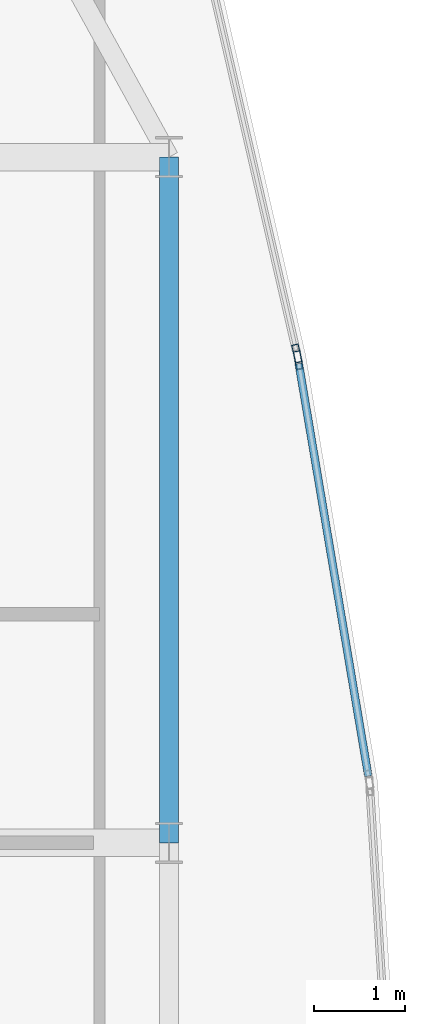
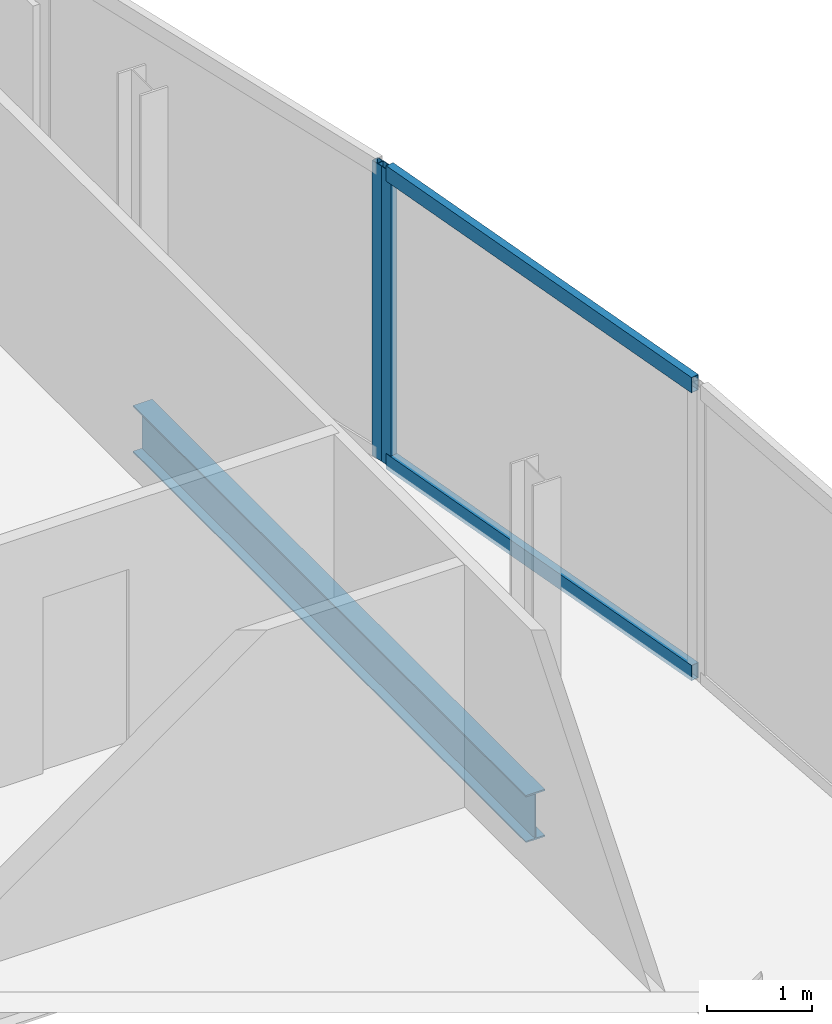
# One storey, part 19 of 29: 4 members, 1 beam, 2 elements without a shape of their own.
"""IFC4 building model written with IfcOpenShell, lengths in metres."""

from ifc_helpers import new_model, si_unit, direction, frame, origin, origin_2d, place, context, subcontext, project, spatial, hollow_rectangle, i_section, extrude, material, material_profile, profile_set, type_object, element, aggregate, save


model = new_model("IFC4")

# Units and contexts
model_context = context("Model", 3, precision=1e-05, world=origin(), true_north=direction((0.0, 1.0)))
body_context = subcontext(model_context, "Body", "Model", "MODEL_VIEW")
ifc_project = project(units=[si_unit("LENGTHUNIT", "METRE"), si_unit("AREAUNIT", "SQUARE_METRE"), si_unit("VOLUMEUNIT", "CUBIC_METRE"), si_unit("PLANEANGLEUNIT", "RADIAN"), si_unit("MASSUNIT", "GRAM", prefix="KILO")], contexts=[model_context])

# Site, building, storey
site_placement = place(None, origin())
site = spatial("IfcSite", under=ifc_project, at=site_placement, CompositionType="ELEMENT")
building_placement = place(site_placement, origin())
building = spatial("IfcBuilding", under=site, at=building_placement, Name="Khoronbel Lancet Exchange", CompositionType="ELEMENT")
storey_placement = place(building_placement, frame((0.0, 0.0, 321.800048828125)))
storey = spatial("IfcBuildingStorey", under=building, at=storey_placement, Name="L83", CompositionType="ELEMENT", Elevation=321.800048828125)

# Beam
ifc_material_1 = material(Name="Steel S355", Category="steel")
ifc_material_profile_1 = material_profile(ifc_material_1, i_section(OverallWidth=0.2099609375, OverallDepth=0.550048828125, WebThickness=0.010986328125, FlangeThickness=0.01708984375, at=origin_2d()), Name="IPE 550")
ifc_profile_set_1 = profile_set([ifc_material_profile_1], Name="Steel S355")
beam_type = type_object("IfcBeamType", Name="BM-BSP3", PredefinedType="SPANDREL", material=ifc_profile_set_1)
beam_placement = place(storey_placement, frame((61.6298828125, 35.699951171875, -0.43505859375), z_axis=(0.0, 1.0, 0.0), x_axis=(-1.0, 0.0, 0.0)))
element("IfcBeam", 1, at=beam_placement, inside=storey, type_object=beam_type, Name="Level L83 perimeter spandrel beam SP12", PredefinedType="SPANDREL", context=body_context, shape_type="SweptSolid", body=[
    extrude(i_section(OverallWidth=0.2099609375, OverallDepth=0.550048828125, WebThickness=0.010986328125, FlangeThickness=0.01708984375, at=origin_2d()), origin(), (0.0, 0.0, 1.0), 7.5),
])

# Curtain wall, member
ifc_material_2 = material(Name="Low-E Solar Control Insulating Glass", Category="glass")
curtain_wall_type = type_object("IfcCurtainWallType", Name="CW-4", PredefinedType="NOTDEFINED", material=ifc_material_2)
curtain_wall_1_placement = place(storey_placement, origin())
curtain_wall_1 = element("IfcCurtainWall", 2, at=curtain_wall_1_placement, inside=storey, type_object=curtain_wall_type, Name="Unitised curtain wall CW-L83-E17", PredefinedType="NOTDEFINED")
ifc_material_3 = material(Name="Bronze-Anodised Aluminium 6063-T6", Category="aluminium")
ifc_material_profile_2 = material_profile(ifc_material_3, hollow_rectangle(XDim=0.074951171875, YDim=0.199951171875, WallThickness=0.0048828125, at=origin_2d()), Name="ALU MULLION 75x200")
ifc_profile_set_2 = profile_set([ifc_material_profile_2], Name="Bronze-Anodised Aluminium 6063-T6")
member_type_1 = type_object("IfcMemberType", Name="MEM-CWM2", PredefinedType="MULLION", material=ifc_profile_set_2)
member_1_placement = place(storey_placement, frame((63.0283203125, 41.05224609375, 0.0), z_axis=(0.0, 0.0, 1.0), x_axis=(0.974479667701, 0.224475783189, 0.0)))
member_1 = element("IfcMember", 3, at=member_1_placement, type_object=member_type_1, Name="CW4 mullion 2", PredefinedType="MULLION", context=body_context, shape_type="SweptSolid", body=[
    extrude(hollow_rectangle(XDim=0.074951171875, YDim=0.199951171875, WallThickness=0.0048828125, at=origin_2d()), origin(), (0.0, 0.0, 1.0), 3.43994140625),
])
aggregate(curtain_wall_1, [member_1])

# Curtain wall, members
curtain_wall_2_placement = place(storey_placement, origin())
curtain_wall_2 = element("IfcCurtainWall", 4, at=curtain_wall_2_placement, inside=storey, type_object=curtain_wall_type, Name="Unitised curtain wall CW-L83-E18", PredefinedType="NOTDEFINED")
member_2_placement = place(storey_placement, frame((63.04296875, 40.978759765625, 0.0), z_axis=(0.0, 0.0, 1.0), x_axis=(0.986074631142, 0.166303402909, 0.0)))
member_2 = element("IfcMember", 5, at=member_2_placement, type_object=member_type_1, Name="CW4 mullion 1", PredefinedType="MULLION", context=body_context, shape_type="SweptSolid", body=[
    extrude(hollow_rectangle(XDim=0.074951171875, YDim=0.199951171875, WallThickness=0.0048828125, at=origin_2d()), origin(), (0.0, 0.0, 1.0), 3.43994140625),
])
ifc_material_profile_3 = material_profile(ifc_material_3, hollow_rectangle(XDim=0.0849609375, YDim=0.179931640625, WallThickness=0.0048828125, at=origin_2d()), Name="ALU TRANSOM 85x180")
ifc_profile_set_3 = profile_set([ifc_material_profile_3], Name="Bronze-Anodised Aluminium 6063-T6")
member_type_2 = type_object("IfcMemberType", Name="MEM-CWT1", PredefinedType="USERDEFINED", material=ifc_profile_set_3)
member_3_placement = place(storey_placement, frame((63.049072265625, 40.941650390625, 0.04248046875), z_axis=(0.166337098709, -0.986068947687, 0.0), x_axis=(0.986068947687, 0.166337098709, 0.0)))
member_3 = element("IfcMember", 6, at=member_3_placement, type_object=member_type_2, Name="CW4 transom 1.1", ObjectType="TRANSOM", PredefinedType="USERDEFINED", context=body_context, shape_type="SweptSolid", body=[
    extrude(hollow_rectangle(XDim=0.0849609375, YDim=0.179931640625, WallThickness=0.0048828125, at=origin_2d()), origin(), (0.0, 0.0, 1.0), 4.574951171875),
])
member_4_placement = place(storey_placement, frame((63.049072265625, 40.941650390625, 3.3974609375), z_axis=(0.166337098709, -0.986068947687, 0.0), x_axis=(0.986068947687, 0.166337098709, 0.0)))
member_4 = element("IfcMember", 7, at=member_4_placement, type_object=member_type_2, Name="CW4 transom 1.2", ObjectType="TRANSOM", PredefinedType="USERDEFINED", context=body_context, shape_type="SweptSolid", body=[
    extrude(hollow_rectangle(XDim=0.0849609375, YDim=0.179931640625, WallThickness=0.0048828125, at=origin_2d()), origin(), (0.0, 0.0, 1.0), 4.574951171875),
])
aggregate(curtain_wall_2, [member_2, member_3, member_4])

save(model, "model.ifc")
